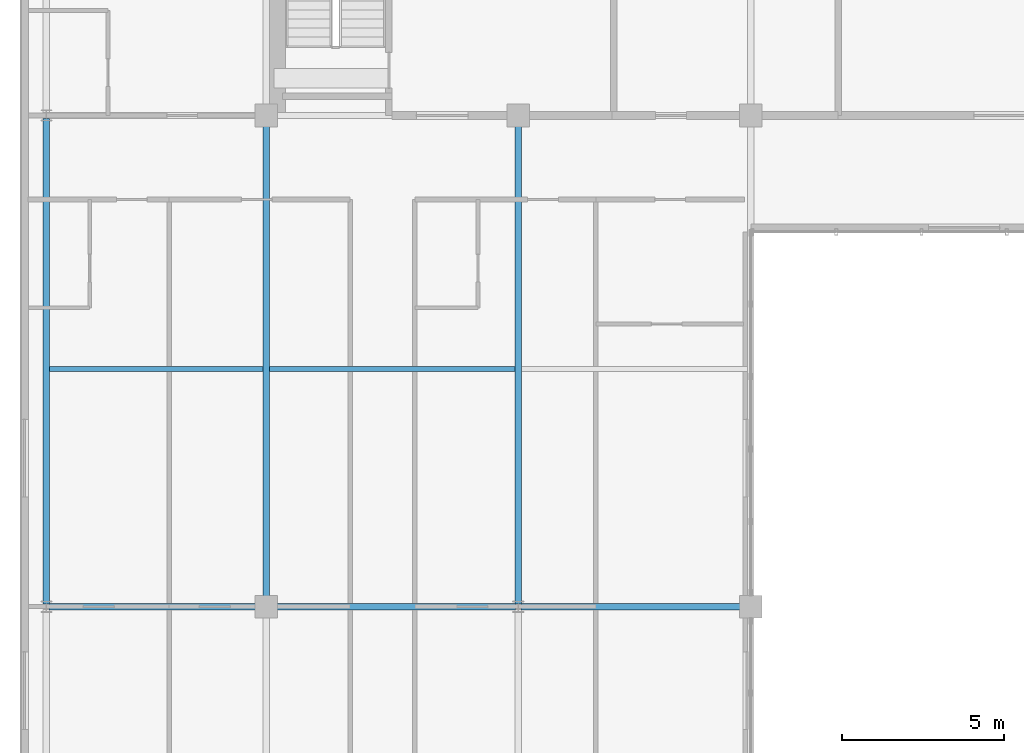
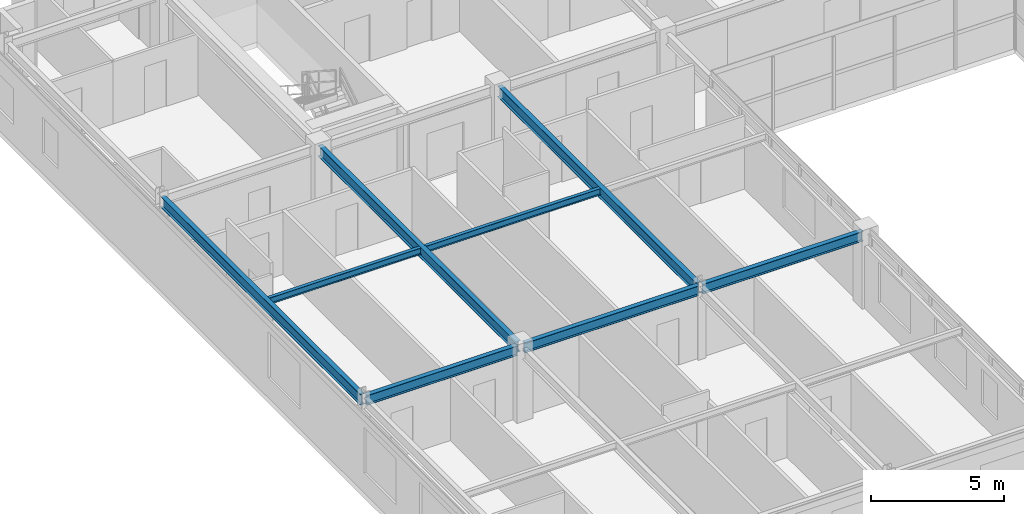
# One storey, part 7 of 34: 8 beams.
"""IFC4 building model written with IfcOpenShell, lengths in metres."""

from ifc_helpers import new_model, si_unit, direction, frame, origin, origin_2d, place, context, subcontext, project, spatial, i_section, extrude, source, transform, mapped, material, material_profile, profile_set, type_object, element, save


model = new_model("IFC4")

# Units and contexts
model_context = context("Model", 3, precision=1e-05, world=origin(), true_north=direction((0.0, 1.0)))
body_context = subcontext(model_context, "Body", "Model", "MODEL_VIEW")
ifc_project = project(units=[si_unit("LENGTHUNIT", "METRE"), si_unit("AREAUNIT", "SQUARE_METRE"), si_unit("VOLUMEUNIT", "CUBIC_METRE"), si_unit("PLANEANGLEUNIT", "RADIAN"), si_unit("MASSUNIT", "GRAM", prefix="KILO")], contexts=[model_context])

# Site, building, storey
site_placement = place(None, origin())
site = spatial("IfcSite", under=ifc_project, at=site_placement, CompositionType="ELEMENT")
building_placement = place(site_placement, origin())
building = spatial("IfcBuilding", under=site, at=building_placement, Name="Trelvane Seafront Commons", CompositionType="ELEMENT")
storey_placement = place(building_placement, frame((0.0, 0.0, 197.699951171875)))
storey = spatial("IfcBuildingStorey", under=building, at=storey_placement, Name="L51", CompositionType="ELEMENT", Elevation=197.699951171875)

# Beams
ifc_material = material(Name="Steel SM355 (S355)", Category="steel")
ifc_material_profile_1 = material_profile(ifc_material, i_section(OverallWidth=0.199951171875, OverallDepth=0.5, WebThickness=0.010009765625, FlangeThickness=0.01611328125, at=origin_2d()), Name="H-500x200x10x16")
ifc_profile_set_1 = profile_set([ifc_material_profile_1], Name="Steel SM355 (S355)")
beam_type_1 = type_object("IfcBeamType", Name="STR-BM-H500", PredefinedType="BEAM", material=ifc_profile_set_1)
shared_shape_1 = source(origin(), body_context, "Body", "SweptSolid", [
    extrude(i_section(OverallWidth=0.199951171875, OverallDepth=0.5, WebThickness=0.010009765625, FlangeThickness=0.01611328125, at=origin_2d()), origin(), (0.0, 0.0, 1.0), 14.89990234375),
])
beam_1_placement = place(storey_placement, frame((15.60009765625, 18.35009765625, 3.110107421875), z_axis=(0.0, 1.0, 0.0), x_axis=(-1.0, 0.0, 0.0)))
element("IfcBeam", 1, at=beam_1_placement, inside=storey, type_object=beam_type_1, Name="L51 Primary Girder G-33", PredefinedType="BEAM", context=body_context, shape_type="MappedRepresentation", body=[
    mapped(shared_shape_1, transform((0.0, 0.0, 0.0), x_axis=(1.0, 0.0, 0.0), y_axis=(0.0, 1.0, 0.0), z_axis=(0.0, 0.0, 1.0), scale=1.0)),
])
ifc_material_profile_2 = material_profile(ifc_material, i_section(OverallWidth=0.199951171875, OverallDepth=0.449951171875, WebThickness=0.009033203125, FlangeThickness=0.013916015625, at=origin_2d()), Name="H-450x200x9x14")
ifc_profile_set_2 = profile_set([ifc_material_profile_2], Name="Steel SM355 (S355)")
beam_type_2 = type_object("IfcBeamType", Name="STR-SPD-H450", PredefinedType="SPANDREL", material=ifc_profile_set_2)
shared_shape_2 = source(origin(), body_context, "Body", "SweptSolid", [
    extrude(i_section(OverallWidth=0.199951171875, OverallDepth=0.449951171875, WebThickness=0.009033203125, FlangeThickness=0.013916015625, at=origin_2d()), origin(), (0.0, 0.0, 1.0), 6.5625),
])
beam_2_placement = place(storey_placement, frame((8.887451171875, 18.199951171875, 3.135009765625), z_axis=(1.0, 0.0, 0.0), x_axis=(0.0, 1.0, 0.0)))
element("IfcBeam", 2, at=beam_2_placement, inside=storey, type_object=beam_type_2, Name="L51 Primary Girder G-08", PredefinedType="SPANDREL", context=body_context, shape_type="MappedRepresentation", body=[
    mapped(shared_shape_2, transform((0.0, 0.0, 0.0), x_axis=(1.0, 0.0, 0.0), y_axis=(0.0, 1.0, 0.0), z_axis=(0.0, 0.0, 1.0), scale=1.0)),
])
shared_shape_3 = source(origin(), body_context, "Body", "SweptSolid", [
    extrude(i_section(OverallWidth=0.199951171875, OverallDepth=0.449951171875, WebThickness=0.009033203125, FlangeThickness=0.013916015625, at=origin_2d()), origin(), (0.0, 0.0, 1.0), 7.5625),
])
beam_3_placement = place(storey_placement, frame((15.75, 18.199951171875, 3.135009765625), z_axis=(1.0, 0.0, 0.0), x_axis=(0.0, 1.0, 0.0)))
element("IfcBeam", 3, at=beam_3_placement, inside=storey, type_object=beam_type_2, Name="L51 Primary Girder G-09", PredefinedType="SPANDREL", context=body_context, shape_type="MappedRepresentation", body=[
    mapped(shared_shape_3, transform((0.0, 0.0, 0.0), x_axis=(1.0, 0.0, 0.0), y_axis=(0.0, 1.0, 0.0), z_axis=(0.0, 0.0, 1.0), scale=1.0)),
])
shared_shape_4 = source(origin(), body_context, "Body", "SweptSolid", [
    extrude(i_section(OverallWidth=0.199951171875, OverallDepth=0.449951171875, WebThickness=0.009033203125, FlangeThickness=0.013916015625, at=origin_2d()), origin(), (0.0, 0.0, 1.0), 6.96240234375),
])
beam_4_placement = place(storey_placement, frame((23.487548828125, 18.199951171875, 3.135009765625), z_axis=(1.0, 0.0, 0.0), x_axis=(0.0, 1.0, 0.0)))
element("IfcBeam", 4, at=beam_4_placement, inside=storey, type_object=beam_type_2, Name="L51 Primary Girder G-10", PredefinedType="SPANDREL", context=body_context, shape_type="MappedRepresentation", body=[
    mapped(shared_shape_4, transform((0.0, 0.0, 0.0), x_axis=(1.0, 0.0, 0.0), y_axis=(0.0, 1.0, 0.0), z_axis=(0.0, 0.0, 1.0), scale=1.0)),
])
shared_shape_5 = source(origin(), body_context, "Body", "SweptSolid", [
    extrude(i_section(OverallWidth=0.199951171875, OverallDepth=0.5, WebThickness=0.010009765625, FlangeThickness=0.01611328125, at=origin_2d()), origin(), (0.0, 0.0, 1.0), 15.02490234375),
])
beam_5_placement = place(storey_placement, frame((8.800048828125, 18.28759765625, 3.110107421875), z_axis=(0.0, 1.0, 0.0), x_axis=(-1.0, 0.0, 0.0)))
element("IfcBeam", 5, at=beam_5_placement, inside=storey, type_object=beam_type_1, Name="L51 Primary Girder G-30", PredefinedType="BEAM", context=body_context, shape_type="MappedRepresentation", body=[
    mapped(shared_shape_5, transform((0.0, 0.0, 0.0), x_axis=(1.0, 0.0, 0.0), y_axis=(0.0, 1.0, 0.0), z_axis=(0.0, 0.0, 1.0), scale=1.0)),
])
shared_shape_6 = source(origin(), body_context, "Body", "SweptSolid", [
    extrude(i_section(OverallWidth=0.199951171875, OverallDepth=0.5, WebThickness=0.010009765625, FlangeThickness=0.01611328125, at=origin_2d()), origin(), (0.0, 0.0, 1.0), 14.96240234375),
])
beam_6_placement = place(storey_placement, frame((23.39990234375, 18.28759765625, 3.110107421875), z_axis=(0.0, 1.0, 0.0), x_axis=(-1.0, 0.0, 0.0)))
element("IfcBeam", 6, at=beam_6_placement, inside=storey, type_object=beam_type_1, Name="L51 Primary Girder G-36", PredefinedType="BEAM", context=body_context, shape_type="MappedRepresentation", body=[
    mapped(shared_shape_6, transform((0.0, 0.0, 0.0), x_axis=(1.0, 0.0, 0.0), y_axis=(0.0, 1.0, 0.0), z_axis=(0.0, 0.0, 1.0), scale=1.0)),
])
ifc_material_profile_3 = material_profile(ifc_material, i_section(OverallWidth=0.14990234375, OverallDepth=0.300048828125, WebThickness=0.006591796875, FlangeThickness=0.009033203125, at=origin_2d()), Name="H-300x150x6.5x9")
ifc_profile_set_3 = profile_set([ifc_material_profile_3], Name="Steel SM355 (S355)")
beam_type_3 = type_object("IfcBeamType", Name="STR-JST-H300", PredefinedType="JOIST", material=ifc_profile_set_3)
shared_shape_7 = source(origin(), body_context, "Body", "SweptSolid", [
    extrude(i_section(OverallWidth=0.14990234375, OverallDepth=0.300048828125, WebThickness=0.006591796875, FlangeThickness=0.009033203125, at=origin_2d()), origin(), (0.0, 0.0, 1.0), 6.60009765625),
])
beam_7_placement = place(storey_placement, frame((8.89990234375, 25.550048828125, 3.2099609375), z_axis=(1.0, 0.0, 0.0), x_axis=(0.0, 1.0, 0.0)))
element("IfcBeam", 7, at=beam_7_placement, inside=storey, type_object=beam_type_3, Name="L51 Secondary Floor Joist B-60", PredefinedType="JOIST", context=body_context, shape_type="MappedRepresentation", body=[
    mapped(shared_shape_7, transform((0.0, 0.0, 0.0), x_axis=(1.0, 0.0, 0.0), y_axis=(0.0, 1.0, 0.0), z_axis=(0.0, 0.0, 1.0), scale=1.0)),
])
shared_shape_8 = source(origin(), body_context, "Body", "SweptSolid", [
    extrude(i_section(OverallWidth=0.14990234375, OverallDepth=0.300048828125, WebThickness=0.006591796875, FlangeThickness=0.009033203125, at=origin_2d()), origin(), (0.0, 0.0, 1.0), 7.60009765625),
])
beam_8_placement = place(storey_placement, frame((15.699951171875, 25.550048828125, 3.2099609375), z_axis=(1.0, 0.0, 0.0), x_axis=(0.0, 1.0, 0.0)))
element("IfcBeam", 8, at=beam_8_placement, inside=storey, type_object=beam_type_3, Name="L51 Secondary Floor Joist B-61", PredefinedType="JOIST", context=body_context, shape_type="MappedRepresentation", body=[
    mapped(shared_shape_8, transform((0.0, 0.0, 0.0), x_axis=(1.0, 0.0, 0.0), y_axis=(0.0, 1.0, 0.0), z_axis=(0.0, 0.0, 1.0), scale=1.0)),
])

save(model, "model.ifc")
